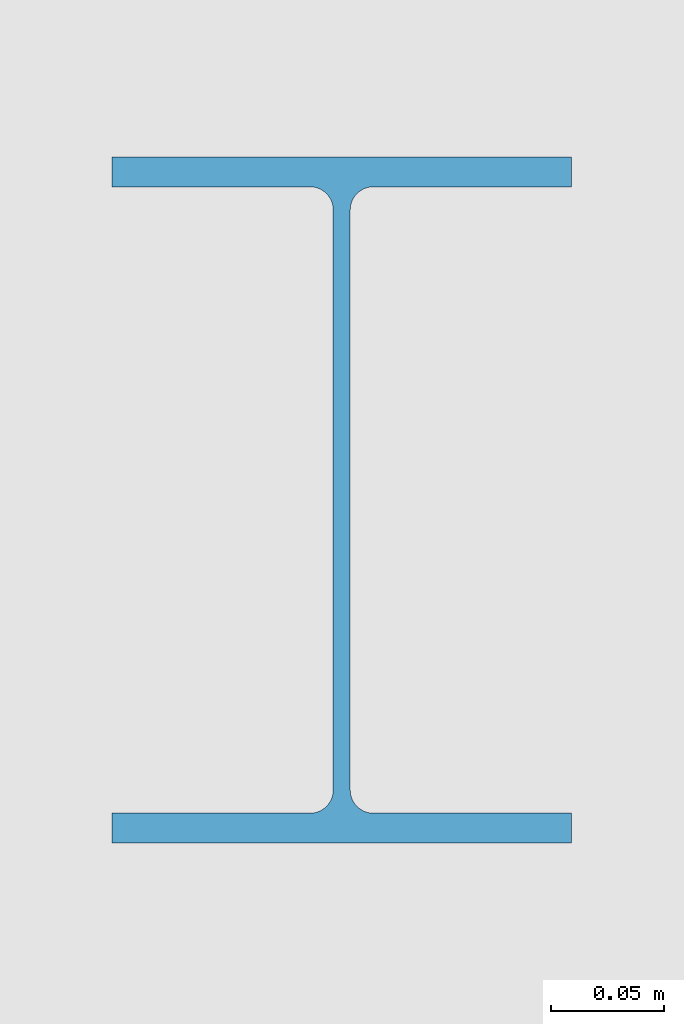
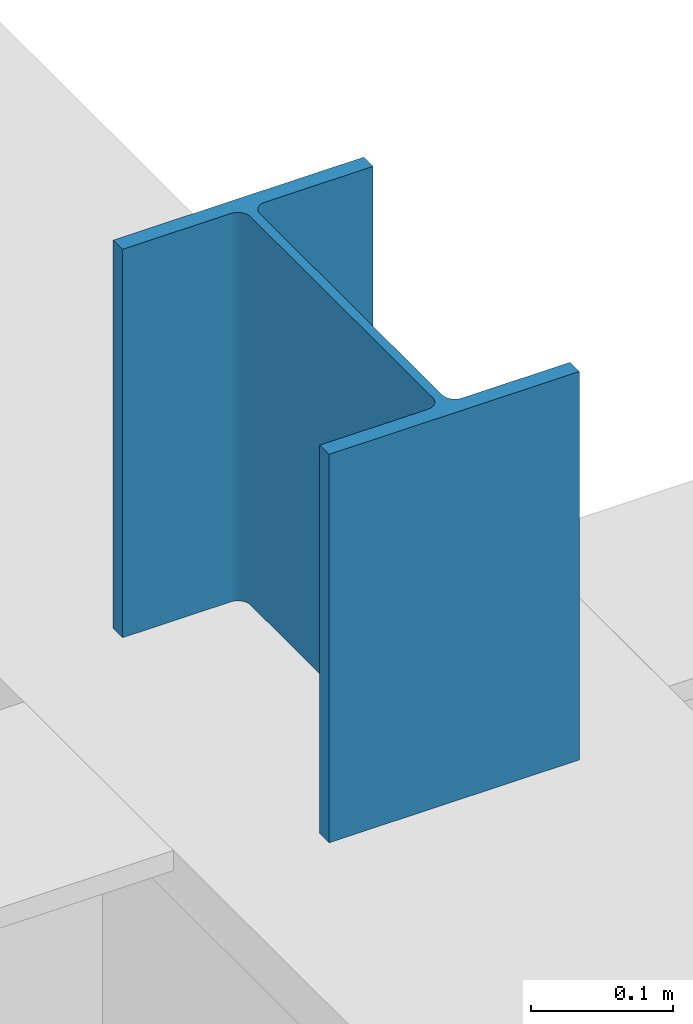
# One storey, part 75 of 105: 1 member.
"""IFC4 building model written with IfcOpenShell, lengths in metres."""

from ifc_helpers import new_model, si_unit, direction, frame, origin, origin_2d, place, context, subcontext, project, spatial, i_section, extrude, material, material_profile, profile_set, type_object, element, save


model = new_model("IFC4")

# Units and contexts
model_context = context("Model", 3, precision=1e-05, world=origin(), true_north=direction((0.0, 1.0)))
body_context = subcontext(model_context, "Body", "Model", "MODEL_VIEW")
ifc_project = project(units=[si_unit("LENGTHUNIT", "METRE"), si_unit("AREAUNIT", "SQUARE_METRE"), si_unit("VOLUMEUNIT", "CUBIC_METRE"), si_unit("PLANEANGLEUNIT", "RADIAN"), si_unit("MASSUNIT", "GRAM", prefix="KILO")], contexts=[model_context])

# Site, building, storey
site_placement = place(None, origin())
site = spatial("IfcSite", under=ifc_project, at=site_placement, CompositionType="ELEMENT")
building_placement = place(site_placement, origin())
building = spatial("IfcBuilding", under=site, at=building_placement, Name="Kaldorvane Square Convention Centre", CompositionType="ELEMENT")
storey_placement = place(building_placement, frame((0.0, 0.0, 6.0)))
storey = spatial("IfcBuildingStorey", under=building, at=storey_placement, Name="L01", CompositionType="ELEMENT", Elevation=6.0)

# Member
ifc_material = material(Name="Steel ASTM A992 Gr. 50", Category="steel")
ifc_material_profile = material_profile(ifc_material, i_section(OverallWidth=0.2032928466796875, OverallDepth=0.3032989501953125, WebThickness=0.00750732421875, FlangeThickness=0.0131072998046875, FilletRadius=0.01019287109375, at=origin_2d()), Name="W12X40")
ifc_profile_set = profile_set([ifc_material_profile], Name="Steel ASTM A992 Gr. 50")
member_type = type_object("IfcMemberType", Name="MB-HG-W12X40", PredefinedType="POST", material=ifc_profile_set)
member_placement = place(storey_placement, frame((102.0, 27.0, 5.675994873046875), z_axis=(0.0, 0.0, 1.0), x_axis=(1.0, 0.0, 0.0)))
element("IfcMember", 1, at=member_placement, inside=storey, type_object=member_type, Name="Exhibition Hall Ceiling Girder HG-07 Hanger 1", PredefinedType="POST", context=body_context, shape_type="SweptSolid", body=[
    extrude(i_section(OverallWidth=0.2032928466796875, OverallDepth=0.3032989501953125, WebThickness=0.00750732421875, FlangeThickness=0.0131072998046875, FilletRadius=0.01019287109375, at=origin_2d()), origin(), (0.0, 0.0, 1.0), 0.3332977294921875),
])

save(model, "model.ifc")
